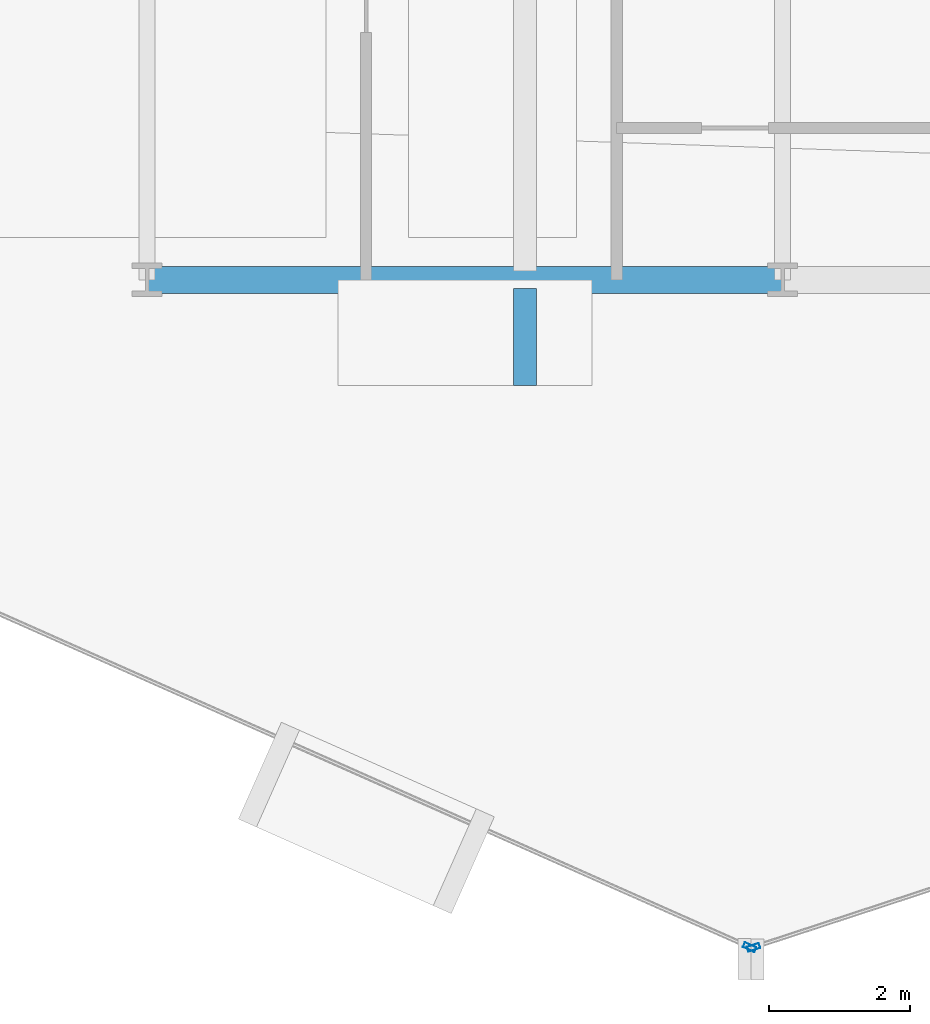
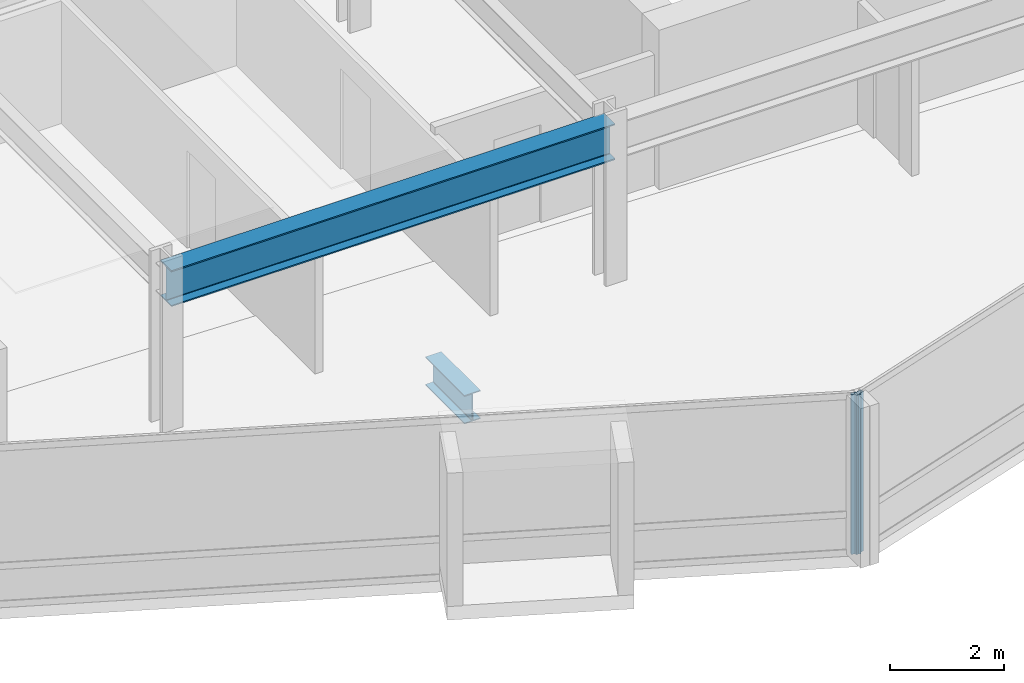
# One storey, part 4 of 34: 2 beams, 2 members, 2 elements without a shape of their own.
"""IFC4 building model written with IfcOpenShell, lengths in metres."""

from ifc_helpers import new_model, si_unit, direction, frame, origin, origin_2d, place, context, subcontext, project, spatial, hollow_rectangle, i_section, extrude, material, layer, layer_set, material_profile, profile_set, type_object, element, aggregate, save


model = new_model("IFC4")

# Units and contexts
model_context = context("Model", 3, precision=1e-05, world=origin(), true_north=direction((0.0, 1.0)))
body_context = subcontext(model_context, "Body", "Model", "MODEL_VIEW")
ifc_project = project(units=[si_unit("LENGTHUNIT", "METRE"), si_unit("AREAUNIT", "SQUARE_METRE"), si_unit("VOLUMEUNIT", "CUBIC_METRE"), si_unit("PLANEANGLEUNIT", "RADIAN"), si_unit("MASSUNIT", "GRAM", prefix="KILO")], contexts=[model_context])

# Site, building, storey
site_placement = place(None, origin())
site = spatial("IfcSite", under=ifc_project, at=site_placement, CompositionType="ELEMENT")
building_placement = place(site_placement, origin())
building = spatial("IfcBuilding", under=site, at=building_placement, Name="Solvaryn Broadcast Tower", CompositionType="ELEMENT")
storey_placement = place(building_placement, frame((0.0, 0.0, 69.300048828125)))
storey = spatial("IfcBuildingStorey", under=building, at=storey_placement, Name="L16", CompositionType="ELEMENT", Elevation=69.300048828125)

# Beams
ifc_material_1 = material(Name="Steel ASTM A992 Grade 50", Category="steel")
ifc_material_profile_1 = material_profile(ifc_material_1, i_section(OverallWidth=0.323974609375, OverallDepth=0.611083984375, WebThickness=0.0126953125, FlangeThickness=0.01904296875, FilletRadius=0.014892578125, at=origin_2d()))
ifc_profile_set_1 = profile_set([ifc_material_profile_1], Name="Steel ASTM A992 Grade 50")
beam_type_1 = type_object("IfcBeamType", Name="BM-CANT-TER", PredefinedType="BEAM", material=ifc_profile_set_1)
beam_1_placement = place(storey_placement, frame((23.35009765625, 8.875, -0.58544921875), z_axis=(0.0, -1.0, 0.0), x_axis=(1.0, 0.0, 0.0)))
element("IfcBeam", 1, at=beam_1_placement, inside=storey, type_object=beam_type_1, Name="L16 Bay-Box Cantilever Bracket 1", PredefinedType="BEAM", context=body_context, shape_type="SweptSolid", body=[
    extrude(i_section(OverallWidth=0.323974609375, OverallDepth=0.611083984375, WebThickness=0.0126953125, FlangeThickness=0.01904296875, FilletRadius=0.014892578125, at=origin_2d()), origin(), (0.0, 0.0, 1.0), 1.375),
])
ifc_material_2 = material(Name="Steel ASTM A992 Grade 50", Category="steel")
ifc_material_profile_2 = material_profile(ifc_material_2, i_section(OverallWidth=0.381103515625, OverallDepth=0.77294921875, WebThickness=0.0166015625, FlangeThickness=0.027099609375, FilletRadius=0.01806640625, at=origin_2d()))
ifc_profile_set_2 = profile_set([ifc_material_profile_2], Name="Steel ASTM A992 Grade 50")
beam_type_2 = type_object("IfcBeamType", Name="BM-SP1-W30X173", PredefinedType="USERDEFINED", material=ifc_profile_set_2)
beam_2_placement = place(storey_placement, frame((18.0, 9.0, 3.033447265625), z_axis=(1.0, 0.0, 0.0), x_axis=(0.0, 1.0, 0.0)))
element("IfcBeam", 2, at=beam_2_placement, inside=storey, type_object=beam_type_2, Name="L16 Spandrel Beam X (18-27 @ Y=9)", ObjectType="SPANDREL", PredefinedType="USERDEFINED", context=body_context, shape_type="SweptSolid", body=[
    extrude(i_section(OverallWidth=0.381103515625, OverallDepth=0.77294921875, WebThickness=0.0166015625, FlangeThickness=0.027099609375, FilletRadius=0.01806640625, at=origin_2d()), origin(), (0.0, 0.0, 1.0), 9.0),
])

# Curtain wall, member
ifc_material_3 = material(Name="Aluminium and Terracotta Unitised Curtain Wall", Category="masonry")
ifc_layer = layer(ifc_material_3, 0.199951171875)
ifc_layer_set = layer_set([ifc_layer], Name="CW-SYS2-LOWMID")
curtain_wall_type = type_object("IfcCurtainWallType", Name="CW-SYS2-LOWMID", PredefinedType="NOTDEFINED", material=ifc_layer_set)
curtain_wall_1_placement = place(storey_placement, origin())
curtain_wall_1 = element("IfcCurtainWall", 3, at=curtain_wall_1_placement, inside=storey, type_object=curtain_wall_type, Name="L16 Curtain Wall DR3", PredefinedType="NOTDEFINED")
ifc_material_4 = material(Name="Anodised Aluminium 6063-T6", Category="aluminium")
ifc_material_profile_3 = material_profile(ifc_material_4, hollow_rectangle(XDim=0.074951171875, YDim=0.179931640625, WallThickness=0.00390625, InnerFilletRadius=0.00390625, OuterFilletRadius=0.008056640625, at=origin_2d()))
ifc_profile_set_3 = profile_set([ifc_material_profile_3], Name="Anodised Aluminium 6063-T6")
member_type = type_object("IfcMemberType", Name="CW-MUL-180", PredefinedType="MULLION", material=ifc_profile_set_3)
member_1_placement = place(storey_placement, frame((26.532470703125, -0.451904296875, 0.0), z_axis=(0.0, 0.0, 1.0), x_axis=(0.405898286554, 0.913918257271, 0.0)))
member_1 = element("IfcMember", 4, at=member_1_placement, type_object=member_type, Name="CWS2 mullion 2", PredefinedType="MULLION", context=body_context, shape_type="SweptSolid", body=[
    extrude(hollow_rectangle(XDim=0.074951171875, YDim=0.179931640625, WallThickness=0.00390625, InnerFilletRadius=0.00390625, OuterFilletRadius=0.008056640625, at=origin_2d()), origin(), (0.0, 0.0, 1.0), 3.419921875),
])
aggregate(curtain_wall_1, [member_1])

curtain_wall_2_placement = place(storey_placement, origin())
curtain_wall_2 = element("IfcCurtainWall", 5, at=curtain_wall_2_placement, inside=storey, type_object=curtain_wall_type, Name="L16 Curtain Wall DR4", PredefinedType="NOTDEFINED")
member_2_placement = place(storey_placement, frame((26.588623046875, -0.45458984375, 0.0), z_axis=(0.0, 0.0, 1.0), x_axis=(-0.311594044587, 0.950215318429, 0.0)))
member_2 = element("IfcMember", 6, at=member_2_placement, type_object=member_type, Name="CWS2 mullion 1", PredefinedType="MULLION", context=body_context, shape_type="SweptSolid", body=[
    extrude(hollow_rectangle(XDim=0.074951171875, YDim=0.179931640625, WallThickness=0.00390625, InnerFilletRadius=0.00390625, OuterFilletRadius=0.008056640625, at=origin_2d()), origin(), (0.0, 0.0, 1.0), 3.419921875),
])
aggregate(curtain_wall_2, [member_2])

save(model, "model.ifc")
